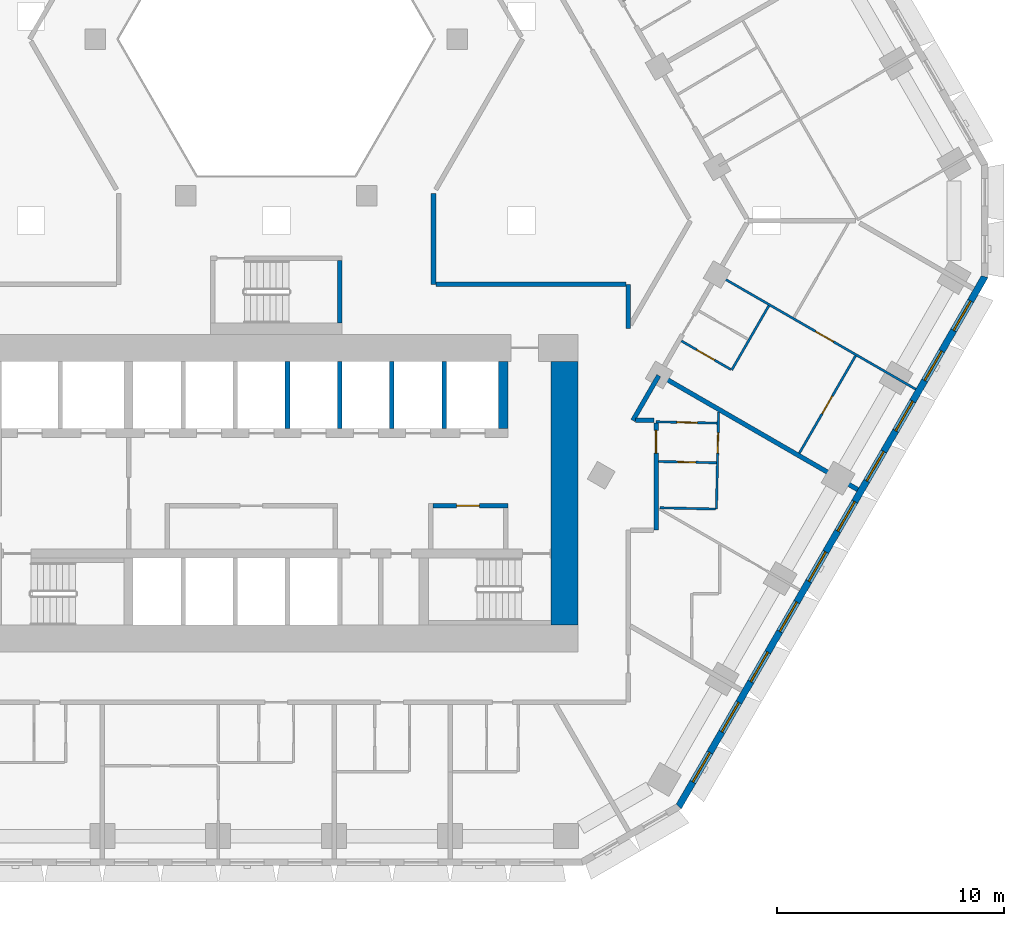
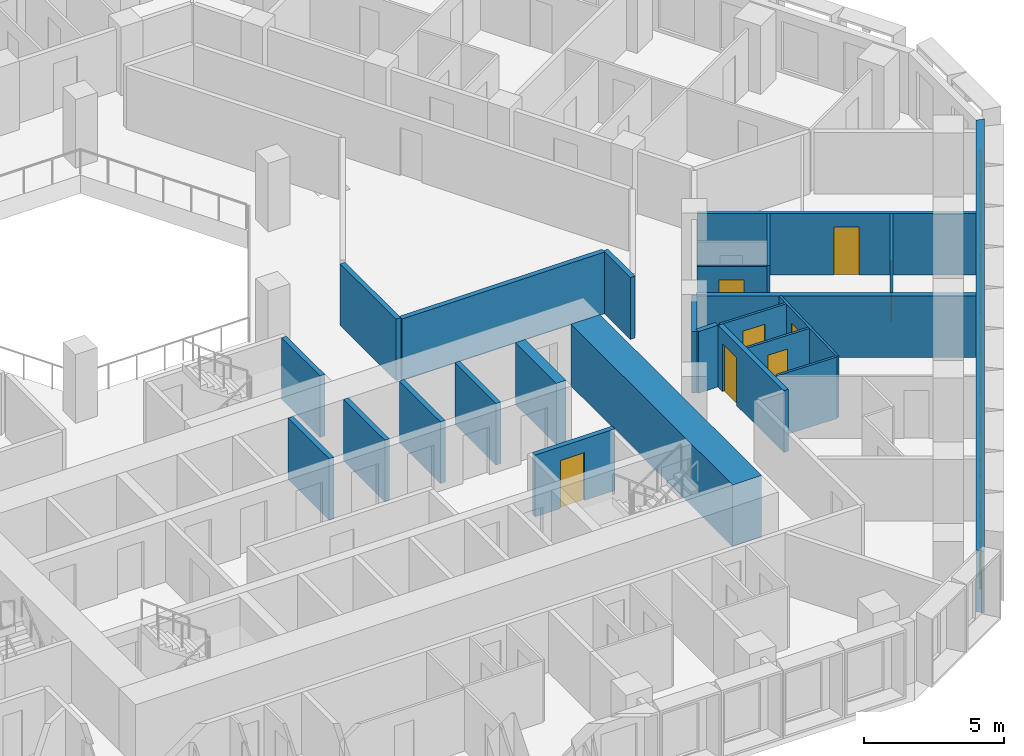
# One storey, part 7 of 21: 24 walls, 10 windows, 8 doors, 18 openings.
"""IFC4 building model written with IfcOpenShell, lengths in metres."""

from ifc_helpers import new_model, si_unit, direction, frame, frame_2d, origin, place, context, subcontext, project, spatial, polyline, rectangle, outline, extrude, material, layer, layer_set, type_object, element, fill, save


model = new_model("IFC4")

# Units and contexts
model_context = context("Model", 3, precision=1e-05, world=origin(), true_north=direction((0.0, 1.0)))
body_context = subcontext(model_context, "Body", "Model", "MODEL_VIEW")
ifc_project = project(units=[si_unit("LENGTHUNIT", "METRE"), si_unit("AREAUNIT", "SQUARE_METRE"), si_unit("VOLUMEUNIT", "CUBIC_METRE"), si_unit("PLANEANGLEUNIT", "RADIAN"), si_unit("MASSUNIT", "GRAM", prefix="KILO")], contexts=[model_context])

# Site, building, storey
site_placement = place(None, origin())
site = spatial("IfcSite", under=ifc_project, at=site_placement, CompositionType="ELEMENT")
building_placement = place(site_placement, origin())
building = spatial("IfcBuilding", under=site, at=building_placement, Name="Beryl Residences", CompositionType="ELEMENT")
storey_placement = place(building_placement, frame((0.0, 0.0, 23.39990234375)))
storey = spatial("IfcBuildingStorey", under=building, at=storey_placement, Name="L06", CompositionType="ELEMENT", Elevation=23.39990234375)

# Wall, openings, windows
ifc_material_1 = material(Name="Composite metal panel with mineral wool insulation")
ifc_layer_1 = layer(ifc_material_1, 0.300048828125)
ifc_layer_set_1 = layer_set([ifc_layer_1], Name="ES1 pale metal composite panel wall 300 mm")
wall_type_1 = type_object("IfcWallType", Name="ES1 pale metal composite panel wall 300 mm", PredefinedType="SOLIDWALL", material=ifc_layer_set_1)
wall_1_placement = place(storey_placement, frame((17.7099609375, -25.824951171875, 0.0), z_axis=(0.0, 0.0, 1.0), x_axis=(0.500001938803, 0.866024284413, 0.0)))
wall_1 = element("IfcWall", 1, at=wall_1_placement, inside=storey, type_object=wall_type_1, Name="ES1 external wall L06 SE", PredefinedType="SOLIDWALL", context=body_context, shape_type="SweptSolid", body=[
    extrude(outline(polyline([(0.0, -0.14990234375), (27.02001953125, -0.14990234375), (26.939697265625, 0.14990234375), (0.080322265625, 0.14990234375), (0.0, -0.14990234375)])), origin(), (0.0, 0.0, 1.0), 2.7001953125),
])
opening_1_placement = place(wall_1_placement, frame((1.277099609375, 0.0, 0.14990234375)))
opening_1 = element("IfcOpeningElement", 2, at=opening_1_placement, cuts=wall_1, Name="Opening W1", PredefinedType="OPENING", context=body_context, shape_type="SweptSolid", body=[
    extrude(rectangle(XDim=1.5, YDim=2.10009765625, at=frame_2d((0.75, 1.050048828125))), frame((0.0, 0.159912109375, 0.0), z_axis=(0.0, -1.0, 0.0), x_axis=(1.0, 0.0, 0.0)), (0.0, 0.0, 1.0), 0.320068359375),
])
opening_2_placement = place(wall_1_placement, frame((3.8291015625, 0.0, 0.14990234375)))
opening_2 = element("IfcOpeningElement", 3, at=opening_2_placement, cuts=wall_1, Name="Opening W1", PredefinedType="OPENING", context=body_context, shape_type="SweptSolid", body=[
    extrude(rectangle(XDim=1.5, YDim=2.10009765625, at=frame_2d((0.75, 1.050048828125))), frame((0.0, 0.159912109375, 0.0), z_axis=(0.0, -1.0, 0.0), x_axis=(1.0, 0.0, 0.0)), (0.0, 0.0, 1.0), 0.320068359375),
])
opening_3_placement = place(wall_1_placement, frame((6.382080078125, 0.0, 0.14990234375)))
opening_3 = element("IfcOpeningElement", 4, at=opening_3_placement, cuts=wall_1, Name="Opening W1", PredefinedType="OPENING", context=body_context, shape_type="SweptSolid", body=[
    extrude(rectangle(XDim=1.5, YDim=2.10009765625, at=frame_2d((0.75, 1.050048828125))), frame((0.0, 0.159912109375, 0.0), z_axis=(0.0, -1.0, 0.0), x_axis=(1.0, 0.0, 0.0)), (0.0, 0.0, 1.0), 0.320068359375),
])
opening_4_placement = place(wall_1_placement, frame((8.93310546875, 0.0, 0.14990234375)))
opening_4 = element("IfcOpeningElement", 5, at=opening_4_placement, cuts=wall_1, Name="Opening W1", PredefinedType="OPENING", context=body_context, shape_type="SweptSolid", body=[
    extrude(rectangle(XDim=1.5, YDim=2.10009765625, at=frame_2d((0.75, 1.050048828125))), frame((0.0, 0.159912109375, 0.0), z_axis=(0.0, -1.0, 0.0), x_axis=(1.0, 0.0, 0.0)), (0.0, 0.0, 1.0), 0.320068359375),
])
opening_5_placement = place(wall_1_placement, frame((11.485107421875, 0.0, 0.14990234375)))
opening_5 = element("IfcOpeningElement", 6, at=opening_5_placement, cuts=wall_1, Name="Opening W1", PredefinedType="OPENING", context=body_context, shape_type="SweptSolid", body=[
    extrude(rectangle(XDim=1.5, YDim=2.10009765625, at=frame_2d((0.75, 1.050048828125))), frame((0.0, 0.159912109375, 0.0), z_axis=(0.0, -1.0, 0.0), x_axis=(1.0, 0.0, 0.0)), (0.0, 0.0, 1.0), 0.320068359375),
])
opening_6_placement = place(wall_1_placement, frame((14.037109375, 0.0, 0.14990234375)))
opening_6 = element("IfcOpeningElement", 7, at=opening_6_placement, cuts=wall_1, Name="Opening W1", PredefinedType="OPENING", context=body_context, shape_type="SweptSolid", body=[
    extrude(rectangle(XDim=1.5, YDim=2.10009765625, at=frame_2d((0.75, 1.050048828125))), frame((0.0, 0.159912109375, 0.0), z_axis=(0.0, -1.0, 0.0), x_axis=(1.0, 0.0, 0.0)), (0.0, 0.0, 1.0), 0.320068359375),
])
opening_7_placement = place(wall_1_placement, frame((16.589111328125, 0.0, 0.14990234375)))
opening_7 = element("IfcOpeningElement", 8, at=opening_7_placement, cuts=wall_1, Name="Opening W1", PredefinedType="OPENING", context=body_context, shape_type="SweptSolid", body=[
    extrude(rectangle(XDim=1.5, YDim=2.10009765625, at=frame_2d((0.75, 1.050048828125))), frame((0.0, 0.159912109375, 0.0), z_axis=(0.0, -1.0, 0.0), x_axis=(1.0, 0.0, 0.0)), (0.0, 0.0, 1.0), 0.320068359375),
])
opening_8_placement = place(wall_1_placement, frame((19.14111328125, 0.0, 0.14990234375)))
opening_8 = element("IfcOpeningElement", 9, at=opening_8_placement, cuts=wall_1, Name="Opening W1", PredefinedType="OPENING", context=body_context, shape_type="SweptSolid", body=[
    extrude(rectangle(XDim=1.5, YDim=2.10009765625, at=frame_2d((0.75, 1.050048828125))), frame((0.0, 0.159912109375, 0.0), z_axis=(0.0, -1.0, 0.0), x_axis=(1.0, 0.0, 0.0)), (0.0, 0.0, 1.0), 0.320068359375),
])
opening_9_placement = place(wall_1_placement, frame((21.693115234375, 0.0, 0.14990234375)))
opening_9 = element("IfcOpeningElement", 10, at=opening_9_placement, cuts=wall_1, Name="Opening W1", PredefinedType="OPENING", context=body_context, shape_type="SweptSolid", body=[
    extrude(rectangle(XDim=1.5, YDim=2.10009765625, at=frame_2d((0.75, 1.050048828125))), frame((0.0, 0.159912109375, 0.0), z_axis=(0.0, -1.0, 0.0), x_axis=(1.0, 0.0, 0.0)), (0.0, 0.0, 1.0), 0.320068359375),
])
opening_10_placement = place(wall_1_placement, frame((24.243896484375, 0.0, 0.14990234375)))
opening_10 = element("IfcOpeningElement", 11, at=opening_10_placement, cuts=wall_1, Name="Opening W1", PredefinedType="OPENING", context=body_context, shape_type="SweptSolid", body=[
    extrude(rectangle(XDim=1.5, YDim=2.10009765625, at=frame_2d((0.75, 1.050048828125))), frame((0.0, 0.159912109375, 0.0), z_axis=(0.0, -1.0, 0.0), x_axis=(1.0, 0.0, 0.0)), (0.0, 0.0, 1.0), 0.320068359375),
])
ifc_material_2 = material(Name="Aluminium and clear glass", Category="aluminium")
window_type = type_object("IfcWindowType", Name="W1 cell window 1500 x 2100 mm", PartitioningType="SINGLE_PANEL", PredefinedType="WINDOW", material=ifc_material_2)
window_1_placement = place(opening_1_placement, origin())
window_1 = element("IfcWindow", 12, at=window_1_placement, inside=storey, type_object=window_type, Name="W1 window L06 SE 1", OverallHeight=2.10009765625, OverallWidth=1.5, PartitioningType="SINGLE_PANEL", PredefinedType="WINDOW", context=body_context, shape_type="SweptSolid", body=[
    extrude(rectangle(XDim=1.5, YDim=2.10009765625, at=frame_2d((0.75, 1.050048828125))), frame((0.0, 0.030029296875, 0.0), z_axis=(0.0, -1.0, 0.0), x_axis=(1.0, 0.0, 0.0)), (0.0, 0.0, 1.0), 0.06005859375),
])
fill(opening_1, window_1)
window_2_placement = place(opening_2_placement, origin())
window_2 = element("IfcWindow", 13, at=window_2_placement, inside=storey, type_object=window_type, Name="W1 window L06 SE 2", OverallHeight=2.10009765625, OverallWidth=1.5, PartitioningType="SINGLE_PANEL", PredefinedType="WINDOW", context=body_context, shape_type="SweptSolid", body=[
    extrude(rectangle(XDim=1.5, YDim=2.10009765625, at=frame_2d((0.75, 1.050048828125))), frame((0.0, 0.030029296875, 0.0), z_axis=(0.0, -1.0, 0.0), x_axis=(1.0, 0.0, 0.0)), (0.0, 0.0, 1.0), 0.06005859375),
])
fill(opening_2, window_2)
window_3_placement = place(opening_3_placement, origin())
window_3 = element("IfcWindow", 14, at=window_3_placement, inside=storey, type_object=window_type, Name="W1 window L06 SE 3", OverallHeight=2.10009765625, OverallWidth=1.5, PartitioningType="SINGLE_PANEL", PredefinedType="WINDOW", context=body_context, shape_type="SweptSolid", body=[
    extrude(rectangle(XDim=1.5, YDim=2.10009765625, at=frame_2d((0.75, 1.050048828125))), frame((0.0, 0.030029296875, 0.0), z_axis=(0.0, -1.0, 0.0), x_axis=(1.0, 0.0, 0.0)), (0.0, 0.0, 1.0), 0.06005859375),
])
fill(opening_3, window_3)
window_4_placement = place(opening_4_placement, origin())
window_4 = element("IfcWindow", 15, at=window_4_placement, inside=storey, type_object=window_type, Name="W1 window L06 SE 4", OverallHeight=2.10009765625, OverallWidth=1.5, PartitioningType="SINGLE_PANEL", PredefinedType="WINDOW", context=body_context, shape_type="SweptSolid", body=[
    extrude(rectangle(XDim=1.5, YDim=2.10009765625, at=frame_2d((0.75, 1.050048828125))), frame((0.0, 0.030029296875, 0.0), z_axis=(0.0, -1.0, 0.0), x_axis=(1.0, 0.0, 0.0)), (0.0, 0.0, 1.0), 0.06005859375),
])
fill(opening_4, window_4)
window_5_placement = place(opening_5_placement, origin())
window_5 = element("IfcWindow", 16, at=window_5_placement, inside=storey, type_object=window_type, Name="W1 window L06 SE 5", OverallHeight=2.10009765625, OverallWidth=1.5, PartitioningType="SINGLE_PANEL", PredefinedType="WINDOW", context=body_context, shape_type="SweptSolid", body=[
    extrude(rectangle(XDim=1.5, YDim=2.10009765625, at=frame_2d((0.75, 1.050048828125))), frame((0.0, 0.030029296875, 0.0), z_axis=(0.0, -1.0, 0.0), x_axis=(1.0, 0.0, 0.0)), (0.0, 0.0, 1.0), 0.06005859375),
])
fill(opening_5, window_5)
window_6_placement = place(opening_6_placement, origin())
window_6 = element("IfcWindow", 17, at=window_6_placement, inside=storey, type_object=window_type, Name="W1 window L06 SE 6", OverallHeight=2.10009765625, OverallWidth=1.5, PartitioningType="SINGLE_PANEL", PredefinedType="WINDOW", context=body_context, shape_type="SweptSolid", body=[
    extrude(rectangle(XDim=1.5, YDim=2.10009765625, at=frame_2d((0.75, 1.050048828125))), frame((0.0, 0.030029296875, 0.0), z_axis=(0.0, -1.0, 0.0), x_axis=(1.0, 0.0, 0.0)), (0.0, 0.0, 1.0), 0.06005859375),
])
fill(opening_6, window_6)
window_7_placement = place(opening_7_placement, origin())
window_7 = element("IfcWindow", 18, at=window_7_placement, inside=storey, type_object=window_type, Name="W1 window L06 SE 7", OverallHeight=2.10009765625, OverallWidth=1.5, PartitioningType="SINGLE_PANEL", PredefinedType="WINDOW", context=body_context, shape_type="SweptSolid", body=[
    extrude(rectangle(XDim=1.5, YDim=2.10009765625, at=frame_2d((0.75, 1.050048828125))), frame((0.0, 0.030029296875, 0.0), z_axis=(0.0, -1.0, 0.0), x_axis=(1.0, 0.0, 0.0)), (0.0, 0.0, 1.0), 0.06005859375),
])
fill(opening_7, window_7)
window_8_placement = place(opening_8_placement, origin())
window_8 = element("IfcWindow", 19, at=window_8_placement, inside=storey, type_object=window_type, Name="W1 window L06 SE 8", OverallHeight=2.10009765625, OverallWidth=1.5, PartitioningType="SINGLE_PANEL", PredefinedType="WINDOW", context=body_context, shape_type="SweptSolid", body=[
    extrude(rectangle(XDim=1.5, YDim=2.10009765625, at=frame_2d((0.75, 1.050048828125))), frame((0.0, 0.030029296875, 0.0), z_axis=(0.0, -1.0, 0.0), x_axis=(1.0, 0.0, 0.0)), (0.0, 0.0, 1.0), 0.06005859375),
])
fill(opening_8, window_8)
window_9_placement = place(opening_9_placement, origin())
window_9 = element("IfcWindow", 20, at=window_9_placement, inside=storey, type_object=window_type, Name="W1 window L06 SE 9", OverallHeight=2.10009765625, OverallWidth=1.5, PartitioningType="SINGLE_PANEL", PredefinedType="WINDOW", context=body_context, shape_type="SweptSolid", body=[
    extrude(rectangle(XDim=1.5, YDim=2.10009765625, at=frame_2d((0.75, 1.050048828125))), frame((0.0, 0.030029296875, 0.0), z_axis=(0.0, -1.0, 0.0), x_axis=(1.0, 0.0, 0.0)), (0.0, 0.0, 1.0), 0.06005859375),
])
fill(opening_9, window_9)
window_10_placement = place(opening_10_placement, origin())
window_10 = element("IfcWindow", 21, at=window_10_placement, inside=storey, type_object=window_type, Name="W1 window L06 SE 10", OverallHeight=2.10009765625, OverallWidth=1.5, PartitioningType="SINGLE_PANEL", PredefinedType="WINDOW", context=body_context, shape_type="SweptSolid", body=[
    extrude(rectangle(XDim=1.5, YDim=2.10009765625, at=frame_2d((0.75, 1.050048828125))), frame((0.0, 0.030029296875, 0.0), z_axis=(0.0, -1.0, 0.0), x_axis=(1.0, 0.0, 0.0)), (0.0, 0.0, 1.0), 0.06005859375),
])
fill(opening_10, window_10)

# Wall, opening, door
ifc_material_3 = material(Name="Gypsum board partition on steel studs", Category="steel")
ifc_layer_2 = layer(ifc_material_3, 0.10009765625)
ifc_layer_set_2 = layer_set([ifc_layer_2], Name="PT1 partition 100 mm gypsum board on steel studs")
wall_type_2 = type_object("IfcWallType", Name="PT1 partition 100 mm gypsum board on steel studs", PredefinedType="PARTITIONING", material=ifc_layer_set_2)
wall_2_placement = place(storey_placement, frame((16.72802734375, -8.85302734375, 0.0), z_axis=(0.0, 0.0, 1.0), x_axis=(0.999759401479, -0.02193488442, 0.0)))
wall_2 = element("IfcWall", 22, at=wall_2_placement, inside=storey, type_object=wall_type_2, Name="Wall PT1 L06 011", PredefinedType="PARTITIONING", context=body_context, shape_type="SweptSolid", body=[
    extrude(rectangle(XDim=2.693603515625, YDim=0.10009765625, at=frame_2d((1.3466796875, 0.0))), origin(), (0.0, 0.0, 1.0), 2.7001953125),
])
opening_11_placement = place(wall_2_placement, frame((0.922119140625, 0.0, 0.0)))
opening_11 = element("IfcOpeningElement", 23, at=opening_11_placement, cuts=wall_2, Name="Opening D0117", PredefinedType="OPENING", context=body_context, shape_type="SweptSolid", body=[
    extrude(rectangle(XDim=0.89990234375, YDim=2.10009765625, at=frame_2d((0.449951171875, 1.050048828125))), frame((0.0, 0.06005859375, 0.0), z_axis=(0.0, -1.0, 0.0), x_axis=(1.0, 0.0, 0.0)), (0.0, 0.0, 1.0), 0.1201171875),
])
ifc_material_4 = material(Name="Timber door leaf", Category="wood")
door_type_1 = type_object("IfcDoorType", Name="D2 room door 900 x 2100 mm", OperationType="SINGLE_SWING_LEFT", PredefinedType="DOOR", material=ifc_material_4)
door_1_placement = place(opening_11_placement, origin())
door_1 = element("IfcDoor", 24, at=door_1_placement, inside=storey, type_object=door_type_1, Name="Door D0117 L06 001", OperationType="SINGLE_SWING_LEFT", OverallHeight=2.10009765625, OverallWidth=0.89990234375, PredefinedType="DOOR", context=body_context, shape_type="SweptSolid", body=[
    extrude(rectangle(XDim=0.89990234375, YDim=2.10009765625, at=frame_2d((0.449951171875, 1.050048828125))), frame((0.0, 0.02490234375, 0.0), z_axis=(0.0, -1.0, 0.0), x_axis=(1.0, 0.0, 0.0)), (0.0, 0.0, 1.0), 0.050048828125),
])
fill(opening_11, door_1)

wall_3_placement = place(storey_placement, frame((16.827880859375, -10.60107421875, 0.0), z_axis=(0.0, 0.0, 1.0), x_axis=(0.999752091799, -0.022265555094, 0.0)))
wall_3 = element("IfcWall", 25, at=wall_3_placement, inside=storey, type_object=wall_type_2, Name="Wall PT1 L06 012", PredefinedType="PARTITIONING", context=body_context, shape_type="SweptSolid", body=[
    extrude(rectangle(XDim=2.554931640625, YDim=0.10009765625, at=frame_2d((1.27734375, 0.0))), origin(), (0.0, 0.0, 1.0), 2.7001953125),
])
opening_12_placement = place(wall_3_placement, frame((0.85302734375, 0.0, 0.0)))
opening_12 = element("IfcOpeningElement", 26, at=opening_12_placement, cuts=wall_3, Name="Opening D0118", PredefinedType="OPENING", context=body_context, shape_type="SweptSolid", body=[
    extrude(rectangle(XDim=0.800048828125, YDim=2.10009765625, at=frame_2d((0.39990234375, 1.050048828125))), frame((0.0, 0.06005859375, 0.0), z_axis=(0.0, -1.0, 0.0), x_axis=(1.0, 0.0, 0.0)), (0.0, 0.0, 1.0), 0.1201171875),
])
ifc_material_5 = material(Name="Timber door leaf", Category="wood")
door_type_2 = type_object("IfcDoorType", Name="D3 bathroom door 800 x 2100 mm", OperationType="SINGLE_SWING_LEFT", PredefinedType="DOOR", material=ifc_material_5)
door_2_placement = place(opening_12_placement, origin())
door_2 = element("IfcDoor", 27, at=door_2_placement, inside=storey, type_object=door_type_2, Name="Door D0118 L06 001", OperationType="SINGLE_SWING_RIGHT", OverallHeight=2.10009765625, OverallWidth=0.800048828125, PredefinedType="DOOR", context=body_context, shape_type="SweptSolid", body=[
    extrude(rectangle(XDim=0.800048828125, YDim=2.10009765625, at=frame_2d((0.39990234375, 1.050048828125))), frame((0.0, 0.02490234375, 0.0), z_axis=(0.0, -1.0, 0.0), x_axis=(1.0, 0.0, 0.0)), (0.0, 0.0, 1.0), 0.050048828125),
])
fill(opening_12, door_2)

# Wall
wall_4_placement = place(storey_placement, frame((16.89208984375, -12.639892578125, 0.0), z_axis=(0.0, 0.0, 1.0), x_axis=(0.999754359069, -0.022163517846, 0.0)))
element("IfcWall", 28, at=wall_4_placement, inside=storey, type_object=wall_type_2, Name="Wall PT1 L06 013", PredefinedType="PARTITIONING", context=body_context, shape_type="SweptSolid", body=[
    extrude(rectangle(XDim=2.4453125, YDim=0.10009765625, at=frame_2d((1.22265625, 0.0))), origin(), (0.0, 0.0, 1.0), 2.7001953125),
])

# Wall, opening, door
wall_5_placement = place(storey_placement, frame((17.843994140625, -5.2919921875, 0.0), z_axis=(0.0, 0.0, 1.0), x_axis=(0.865940918122, -0.500146304917, 0.0)))
wall_5 = element("IfcWall", 29, at=wall_5_placement, inside=storey, type_object=wall_type_2, Name="Wall PT1 L06 018", PredefinedType="PARTITIONING", context=body_context, shape_type="SweptSolid", body=[
    extrude(rectangle(XDim=2.509521484375, YDim=0.10009765625, at=frame_2d((1.2548828125, 0.0))), origin(), (0.0, 0.0, 1.0), 2.7001953125),
])
opening_13_placement = place(wall_5_placement, frame((0.780029296875, 0.0, 0.0)))
opening_13 = element("IfcOpeningElement", 30, at=opening_13_placement, cuts=wall_5, Name="Opening D0123", PredefinedType="OPENING", context=body_context, shape_type="SweptSolid", body=[
    extrude(rectangle(XDim=0.89990234375, YDim=2.10009765625, at=frame_2d((0.449951171875, 1.050048828125))), frame((0.0, 0.06005859375, 0.0), z_axis=(0.0, -1.0, 0.0), x_axis=(1.0, 0.0, 0.0)), (0.0, 0.0, 1.0), 0.1201171875),
])
door_3_placement = place(opening_13_placement, origin())
door_3 = element("IfcDoor", 31, at=door_3_placement, inside=storey, type_object=door_type_1, Name="Door D0123 L06 001", OperationType="SINGLE_SWING_LEFT", OverallHeight=2.10009765625, OverallWidth=0.89990234375, PredefinedType="DOOR", context=body_context, shape_type="SweptSolid", body=[
    extrude(rectangle(XDim=0.89990234375, YDim=2.10009765625, at=frame_2d((0.449951171875, 1.050048828125))), frame((0.0, 0.02490234375, 0.0), z_axis=(0.0, -1.0, 0.0), x_axis=(1.0, 0.0, 0.0)), (0.0, 0.0, 1.0), 0.050048828125),
])
fill(opening_13, door_3)

wall_6_placement = place(storey_placement, frame((19.5029296875, -2.4189453125, 0.0), z_axis=(0.0, 0.0, 1.0), x_axis=(0.866047370643, -0.499961950354, 0.0)))
wall_6 = element("IfcWall", 32, at=wall_6_placement, inside=storey, type_object=wall_type_2, Name="Wall PT1 L06 022", PredefinedType="PARTITIONING", context=body_context, shape_type="SweptSolid", body=[
    extrude(rectangle(XDim=10.000732421875, YDim=0.10009765625, at=frame_2d((5.00048828125, 0.0))), origin(), (0.0, 0.0, 1.0), 2.7001953125),
])
opening_14_placement = place(wall_6_placement, frame((4.912109375, 0.0, 0.0)))
opening_14 = element("IfcOpeningElement", 33, at=opening_14_placement, cuts=wall_6, Name="Opening D0126", PredefinedType="OPENING", context=body_context, shape_type="SweptSolid", body=[
    extrude(rectangle(XDim=0.89990234375, YDim=2.10009765625, at=frame_2d((0.449951171875, 1.050048828125))), frame((0.0, 0.06005859375, 0.0), z_axis=(0.0, -1.0, 0.0), x_axis=(1.0, 0.0, 0.0)), (0.0, 0.0, 1.0), 0.1201171875),
])
door_4_placement = place(opening_14_placement, origin())
door_4 = element("IfcDoor", 34, at=door_4_placement, inside=storey, type_object=door_type_1, Name="Door D0126 L06 001", OperationType="SINGLE_SWING_RIGHT", OverallHeight=2.10009765625, OverallWidth=0.89990234375, PredefinedType="DOOR", context=body_context, shape_type="SweptSolid", body=[
    extrude(rectangle(XDim=0.89990234375, YDim=2.10009765625, at=frame_2d((0.449951171875, 1.050048828125))), frame((0.0, 0.02490234375, 0.0), z_axis=(0.0, -1.0, 0.0), x_axis=(1.0, 0.0, 0.0)), (0.0, 0.0, 1.0), 0.050048828125),
])
fill(opening_14, door_4)

# Wall
wall_7_placement = place(storey_placement, frame((20.06201171875, -6.571044921875, 0.0), z_axis=(0.0, 0.0, 1.0), x_axis=(0.49983032932, 0.866123341039, 0.0)))
element("IfcWall", 35, at=wall_7_placement, inside=storey, type_object=wall_type_2, Name="Wall PT1 L06 035", PredefinedType="PARTITIONING", context=body_context, shape_type="SweptSolid", body=[
    extrude(rectangle(XDim=3.265380859375, YDim=0.10009765625, at=frame_2d((1.6328125, 0.0))), origin(), (0.0, 0.0, 1.0), 2.7001953125),
])

# Wall, opening, door
wall_8_placement = place(storey_placement, frame((23.037109375, -10.238037109375, 0.0), z_axis=(0.0, 0.0, 1.0), x_axis=(0.49999264683, 0.866029649098, 0.0)))
wall_8 = element("IfcWall", 36, at=wall_8_placement, inside=storey, type_object=wall_type_2, Name="Wall PT1 L06 037", PredefinedType="PARTITIONING", context=body_context, shape_type="SweptSolid", body=[
    extrude(rectangle(XDim=4.95361328125, YDim=0.10009765625, at=frame_2d((2.476806640625, 0.0))), origin(), (0.0, 0.0, 1.0), 2.7001953125),
])
opening_15_placement = place(wall_8_placement, frame((2.001953125, 0.0, 0.0)))
opening_15 = element("IfcOpeningElement", 37, at=opening_15_placement, cuts=wall_8, Name="Opening D0125", PredefinedType="OPENING", context=body_context, shape_type="SweptSolid", body=[
    extrude(rectangle(XDim=0.89990234375, YDim=2.10009765625, at=frame_2d((0.449951171875, 1.050048828125))), frame((0.0, 0.06005859375, 0.0), z_axis=(0.0, -1.0, 0.0), x_axis=(1.0, 0.0, 0.0)), (0.0, 0.0, 1.0), 0.1201171875),
])
door_5_placement = place(opening_15_placement, origin())
door_5 = element("IfcDoor", 38, at=door_5_placement, inside=storey, type_object=door_type_1, Name="Door D0125 L06 001", OperationType="SINGLE_SWING_LEFT", OverallHeight=2.10009765625, OverallWidth=0.89990234375, PredefinedType="DOOR", context=body_context, shape_type="SweptSolid", body=[
    extrude(rectangle(XDim=0.89990234375, YDim=2.10009765625, at=frame_2d((0.449951171875, 1.050048828125))), frame((0.0, 0.02490234375, 0.0), z_axis=(0.0, -1.0, 0.0), x_axis=(1.0, 0.0, 0.0)), (0.0, 0.0, 1.0), 0.050048828125),
])
fill(opening_15, door_5)

wall_9_placement = place(storey_placement, frame((19.386962890625, -12.695068359375, 0.0), z_axis=(0.0, 0.0, 1.0), x_axis=(0.022188864436, 0.99975379684, 0.0)))
wall_9 = element("IfcWall", 39, at=wall_9_placement, inside=storey, type_object=wall_type_2, Name="Wall PT1 L06 041", PredefinedType="PARTITIONING", context=body_context, shape_type="SweptSolid", body=[
    extrude(rectangle(XDim=4.280029296875, YDim=0.10009765625, at=frame_2d((2.14013671875, 0.0))), origin(), (0.0, 0.0, 1.0), 2.7001953125),
])
opening_16_placement = place(wall_9_placement, frame((2.4599609375, 0.0, 0.0)))
opening_16 = element("IfcOpeningElement", 40, at=opening_16_placement, cuts=wall_9, Name="Opening D0119", PredefinedType="OPENING", context=body_context, shape_type="SweptSolid", body=[
    extrude(rectangle(XDim=0.89990234375, YDim=2.10009765625, at=frame_2d((0.449951171875, 1.050048828125))), frame((0.0, 0.06005859375, 0.0), z_axis=(0.0, -1.0, 0.0), x_axis=(1.0, 0.0, 0.0)), (0.0, 0.0, 1.0), 0.1201171875),
])
door_6_placement = place(opening_16_placement, origin())
door_6 = element("IfcDoor", 41, at=door_6_placement, inside=storey, type_object=door_type_1, Name="Door D0119 L06 001", OperationType="SINGLE_SWING_LEFT", OverallHeight=2.10009765625, OverallWidth=0.89990234375, PredefinedType="DOOR", context=body_context, shape_type="SweptSolid", body=[
    extrude(rectangle(XDim=0.89990234375, YDim=2.10009765625, at=frame_2d((0.449951171875, 1.050048828125))), frame((0.0, 0.02490234375, 0.0), z_axis=(0.0, -1.0, 0.0), x_axis=(1.0, 0.0, 0.0)), (0.0, 0.0, 1.0), 0.050048828125),
])
fill(opening_16, door_6)

ifc_material_6 = material(Name="Concrete masonry", Category="masonry")
ifc_layer_3 = layer(ifc_material_6, 0.199951171875)
ifc_layer_set_3 = layer_set([ifc_layer_3], Name="PT13 lobby wall 200 mm")
wall_type_3 = type_object("IfcWallType", Name="PT13 lobby wall 200 mm", PredefinedType="PARTITIONING", material=ifc_layer_set_3)
wall_10_placement = place(storey_placement, frame((6.89990234375, -12.550048828125, 0.0), z_axis=(0.0, 0.0, 1.0), x_axis=(1.0, 0.0, 0.0)))
wall_10 = element("IfcWall", 42, at=wall_10_placement, inside=storey, type_object=wall_type_3, Name="Lobby wall 22", PredefinedType="PARTITIONING", context=body_context, shape_type="SweptSolid", body=[
    extrude(rectangle(XDim=3.300048828125, YDim=0.199951171875, at=frame_2d((1.64990234375, 0.0))), origin(), (0.0, 0.0, 1.0), 2.7001953125),
])
opening_17_placement = place(wall_10_placement, frame((2.050048828125, 0.0, 0.0), z_axis=(0.0, 0.0, 1.0), x_axis=(-1.0, 0.0, 0.0)))
opening_17 = element("IfcOpeningElement", 43, at=opening_17_placement, cuts=wall_10, Name="Opening CD-D-A2", PredefinedType="OPENING", context=body_context, shape_type="SweptSolid", body=[
    extrude(rectangle(XDim=1.0, YDim=2.10009765625, at=frame_2d((0.5, 1.050048828125))), frame((0.0, 0.10986328125, 0.0), z_axis=(0.0, -1.0, 0.0), x_axis=(1.0, 0.0, 0.0)), (0.0, 0.0, 1.0), 0.219970703125),
])
ifc_material_7 = material(Name="Steel door leaf in steel frame", Category="steel")
door_type_3 = type_object("IfcDoorType", Name="D18 service room door 1000 x 2100 mm", OperationType="SINGLE_SWING_LEFT", PredefinedType="DOOR", material=ifc_material_7)
door_7_placement = place(opening_17_placement, origin())
door_7 = element("IfcDoor", 44, at=door_7_placement, inside=storey, type_object=door_type_3, Name="Door CD-D-A2 L06 001", OperationType="SINGLE_SWING_LEFT", OverallHeight=2.10009765625, OverallWidth=1.0, PredefinedType="DOOR", context=body_context, shape_type="SweptSolid", body=[
    extrude(rectangle(XDim=1.0, YDim=2.10009765625, at=frame_2d((0.5, 1.050048828125))), frame((0.0, 0.02490234375, 0.0), z_axis=(0.0, -1.0, 0.0), x_axis=(1.0, 0.0, 0.0)), (0.0, 0.0, 1.0), 0.050048828125),
])
fill(opening_17, door_7)

# Walls
ifc_material_8 = material(Name="Acoustic double stud gypsum board wall")
ifc_layer_4 = layer(ifc_material_8, 0.199951171875)
ifc_layer_set_4 = layer_set([ifc_layer_4], Name="PT3 party wall 200 mm acoustic double stud")
wall_type_4 = type_object("IfcWallType", Name="PT3 party wall 200 mm acoustic double stud", PredefinedType="PARTITIONING", material=ifc_layer_set_4)
wall_11_placement = place(storey_placement, frame((16.916015625, -6.819091796875, 0.0), z_axis=(0.0, 0.0, 1.0), x_axis=(0.866028876723, -0.499993984646, 0.0)))
element("IfcWall", 45, at=wall_11_placement, inside=storey, type_object=wall_type_4, Name="Wall PT3 L06 012", PredefinedType="PARTITIONING", context=body_context, shape_type="SweptSolid", body=[
    extrude(rectangle(XDim=10.0400390625, YDim=0.199951171875, at=frame_2d((5.02001953125, 0.0))), origin(), (0.0, 0.0, 1.0), 2.7001953125),
])
ifc_material_9 = material(Name="Double stud gypsum board wall")
ifc_layer_5 = layer(ifc_material_9, 0.199951171875)
ifc_layer_set_5 = layer_set([ifc_layer_5], Name="PT4 corridor wall 200 mm double stud")
wall_type_5 = type_object("IfcWallType", Name="PT4 corridor wall 200 mm double stud", PredefinedType="PARTITIONING", material=ifc_layer_set_5)
wall_12_placement = place(storey_placement, frame((15.822021484375, -8.7939453125, 0.0), z_axis=(0.0, 0.0, 1.0), x_axis=(1.0, 0.0, 0.0)))
element("IfcWall", 46, at=wall_12_placement, inside=storey, type_object=wall_type_5, Name="Wall PT4 L06 009", PredefinedType="PARTITIONING", context=body_context, shape_type="SweptSolid", body=[
    extrude(rectangle(XDim=0.805908203125, YDim=0.199951171875, at=frame_2d((0.40283203125, 0.0))), origin(), (0.0, 0.0, 1.0), 2.7001953125),
])
wall_13_placement = place(storey_placement, frame((7.028076171875, -2.800048828125, 0.0), z_axis=(0.0, 0.0, 1.0), x_axis=(1.0, 0.0, 0.0)))
element("IfcWall", 47, at=wall_13_placement, inside=storey, type_object=wall_type_5, Name="Wall PT4 L06 014", PredefinedType="PARTITIONING", context=body_context, shape_type="SweptSolid", body=[
    extrude(rectangle(XDim=8.371826171875, YDim=0.199951171875, at=frame_2d((4.18603515625, 0.0))), origin(), (0.0, 0.0, 1.0), 2.7001953125),
])
wall_14_placement = place(storey_placement, frame((15.70703125, -8.7939453125, 0.0), z_axis=(0.0, 0.0, 1.0), x_axis=(0.500040469623, 0.866002037376, 0.0)))
element("IfcWall", 48, at=wall_14_placement, inside=storey, type_object=wall_type_5, Name="Wall PT4 L06 020", PredefinedType="PARTITIONING", context=body_context, shape_type="SweptSolid", body=[
    extrude(rectangle(XDim=2.281494140625, YDim=0.199951171875, at=frame_2d((1.140625, 0.0))), origin(), (0.0, 0.0, 1.0), 2.7001953125),
])
wall_15_placement = place(storey_placement, frame((6.927978515625, -2.800048828125, 0.0), z_axis=(0.0, 0.0, 1.0), x_axis=(0.0, 1.0, 0.0)))
element("IfcWall", 49, at=wall_15_placement, inside=storey, type_object=wall_type_5, Name="Wall PT4 L06 025", PredefinedType="PARTITIONING", context=body_context, shape_type="SweptSolid", body=[
    extrude(rectangle(XDim=4.0, YDim=0.199951171875, at=frame_2d((2.0, 0.0))), origin(), (0.0, 0.0, 1.0), 2.7001953125),
])
wall_16_placement = place(storey_placement, frame((15.5, -4.751953125, 0.0), z_axis=(0.0, 0.0, 1.0), x_axis=(0.0, 1.0, 0.0)))
element("IfcWall", 50, at=wall_16_placement, inside=storey, type_object=wall_type_5, Name="Wall PT4 L06 027", PredefinedType="PARTITIONING", context=body_context, shape_type="SweptSolid", body=[
    extrude(rectangle(XDim=1.951904296875, YDim=0.199951171875, at=frame_2d((0.97607421875, 0.0))), origin(), (0.0, 0.0, 1.0), 2.7001953125),
])

# Wall, opening, door
wall_17_placement = place(storey_placement, frame((16.72802734375, -13.623046875, 0.0), z_axis=(0.0, 0.0, 1.0), x_axis=(0.0, 1.0, 0.0)))
wall_17 = element("IfcWall", 51, at=wall_17_placement, inside=storey, type_object=wall_type_5, Name="Wall PT4 L06 028", PredefinedType="PARTITIONING", context=body_context, shape_type="SweptSolid", body=[
    extrude(rectangle(XDim=4.719970703125, YDim=0.199951171875, at=frame_2d((2.35986328125, 0.0))), origin(), (0.0, 0.0, 1.0), 2.7001953125),
])
opening_18_placement = place(wall_17_placement, frame((3.39599609375, 0.0, 0.0)))
opening_18 = element("IfcOpeningElement", 52, at=opening_18_placement, cuts=wall_17, Name="Opening D0116", PredefinedType="OPENING", context=body_context, shape_type="SweptSolid", body=[
    extrude(rectangle(XDim=1.0, YDim=2.10009765625, at=frame_2d((0.5, 1.050048828125))), frame((0.0, 0.10986328125, 0.0), z_axis=(0.0, -1.0, 0.0), x_axis=(1.0, 0.0, 0.0)), (0.0, 0.0, 1.0), 0.219970703125),
])
ifc_material_10 = material(Name="Timber door leaf", Category="wood")
door_type_4 = type_object("IfcDoorType", Name="D1 flat entrance door 1000 x 2100 mm", OperationType="SINGLE_SWING_LEFT", PredefinedType="DOOR", material=ifc_material_10)
door_8_placement = place(opening_18_placement, origin())
door_8 = element("IfcDoor", 53, at=door_8_placement, inside=storey, type_object=door_type_4, Name="Door D0116 L06 001", OperationType="SINGLE_SWING_RIGHT", OverallHeight=2.10009765625, OverallWidth=1.0, PredefinedType="DOOR", context=body_context, shape_type="SweptSolid", body=[
    extrude(rectangle(XDim=1.0, YDim=2.10009765625, at=frame_2d((0.5, 1.050048828125))), frame((0.0, 0.02490234375, 0.0), z_axis=(0.0, -1.0, 0.0), x_axis=(1.0, 0.0, 0.0)), (0.0, 0.0, 1.0), 0.050048828125),
])
fill(opening_18, door_8)

# Walls
ifc_material_11 = material(Name="Concrete C40/50", Category="concrete")
ifc_layer_6 = layer(ifc_material_11, 0.199951171875)
ifc_layer_set_6 = layer_set([ifc_layer_6], Name="PT5 stair enclosure wall 200 mm reinforced concrete C40/50")
wall_type_6 = type_object("IfcWallType", Name="PT5 stair enclosure wall 200 mm reinforced concrete C40/50", PredefinedType="SOLIDWALL", material=ifc_layer_set_6)
wall_18_placement = place(storey_placement, frame((2.800048828125, -4.5, 0.0), z_axis=(0.0, 0.0, 1.0), x_axis=(0.0, 1.0, 0.0)))
element("IfcWall", 54, at=wall_18_placement, inside=storey, type_object=wall_type_6, Name="Wall PT5 L06 003", PredefinedType="SOLIDWALL", context=body_context, shape_type="SweptSolid", body=[
    extrude(rectangle(XDim=2.75, YDim=0.199951171875, at=frame_2d((1.375, 0.0))), origin(), (0.0, 0.0, 1.0), 2.7001953125),
])
ifc_material_12 = material(Name="Concrete C40/50", Category="concrete")
ifc_layer_7 = layer(ifc_material_12, 0.199951171875)
ifc_layer_set_7 = layer_set([ifc_layer_7], Name="PT6 lift shaft wall 200 mm reinforced concrete C40/50")
wall_type_7 = type_object("IfcWallType", Name="PT6 lift shaft wall 200 mm reinforced concrete C40/50", PredefinedType="SOLIDWALL", material=ifc_layer_set_7)
for number, where, z_axis, x_axis, name in (
    (55, (0.5, -9.14990234375, 0.0), (0.0, 0.0, 1.0), (0.0, 1.0, 0.0), "Lift shaft wall 14"),
    (56, (2.800048828125, -9.14990234375, 0.0), (0.0, 0.0, 1.0), (0.0, 1.0, 0.0), "Lift shaft wall 17"),
    (57, (5.10009765625, -9.14990234375, 0.0), (0.0, 0.0, 1.0), (0.0, 1.0, 0.0), "Lift shaft wall 19"),
    (58, (7.39990234375, -9.14990234375, 0.0), (0.0, 0.0, 1.0), (0.0, 1.0, 0.0), "Lift shaft wall 23"),
):
    element("IfcWall", number, at=place(storey_placement, frame(where, z_axis=z_axis, x_axis=x_axis)), inside=storey, type_object=wall_type_7, Name=name, PredefinedType="SOLIDWALL", context=body_context, shape_type="SweptSolid", body=[
        extrude(rectangle(XDim=2.949951171875, YDim=0.199951171875, at=frame_2d((1.47509765625, 0.0))), origin(), (0.0, 0.0, 1.0), 2.7001953125),
    ])
ifc_material_13 = material(Name="Concrete C80/95", Category="concrete")
ifc_layer_8 = layer(ifc_material_13, 1.199951171875)
ifc_layer_set_8 = layer_set([ifc_layer_8], Name="SW1 core outer wall 1200 mm C80/95")
wall_type_8 = type_object("IfcWallType", Name="SW1 core outer wall 1200 mm C80/95", PredefinedType="SHEAR", material=ifc_layer_set_8)
wall_19_placement = place(storey_placement, frame((12.699951171875, -17.800048828125, 0.0), z_axis=(0.0, 0.0, 1.0), x_axis=(0.0, 1.0, 0.0)))
element("IfcWall", 59, at=wall_19_placement, inside=storey, type_object=wall_type_8, Name="Core wall E L06", PredefinedType="SHEAR", context=body_context, shape_type="SweptSolid", body=[
    extrude(rectangle(XDim=11.60009765625, YDim=1.199951171875, at=frame_2d((5.800048828125, 0.0))), origin(), (0.0, 0.0, 1.0), 2.7001953125),
])
ifc_material_14 = material(Name="Concrete C80/95", Category="concrete")
ifc_layer_9 = layer(ifc_material_14, 0.39990234375)
ifc_layer_set_9 = layer_set([ifc_layer_9], Name="SW6 core internal wall 400 mm C80/95")
wall_type_9 = type_object("IfcWallType", Name="SW6 core internal wall 400 mm C80/95", PredefinedType="SHEAR", material=ifc_layer_set_9)
wall_20_placement = place(storey_placement, frame((10.0, -9.14990234375, 0.0), z_axis=(0.0, 0.0, 1.0), x_axis=(0.0, 1.0, 0.0)))
element("IfcWall", 60, at=wall_20_placement, inside=storey, type_object=wall_type_9, Name="Core wall XN2 L06", PredefinedType="SHEAR", context=body_context, shape_type="SweptSolid", body=[
    extrude(rectangle(XDim=2.949951171875, YDim=0.39990234375, at=frame_2d((1.47509765625, 0.0))), origin(), (0.0, 0.0, 1.0), 2.7001953125),
])

save(model, "model.ifc")
